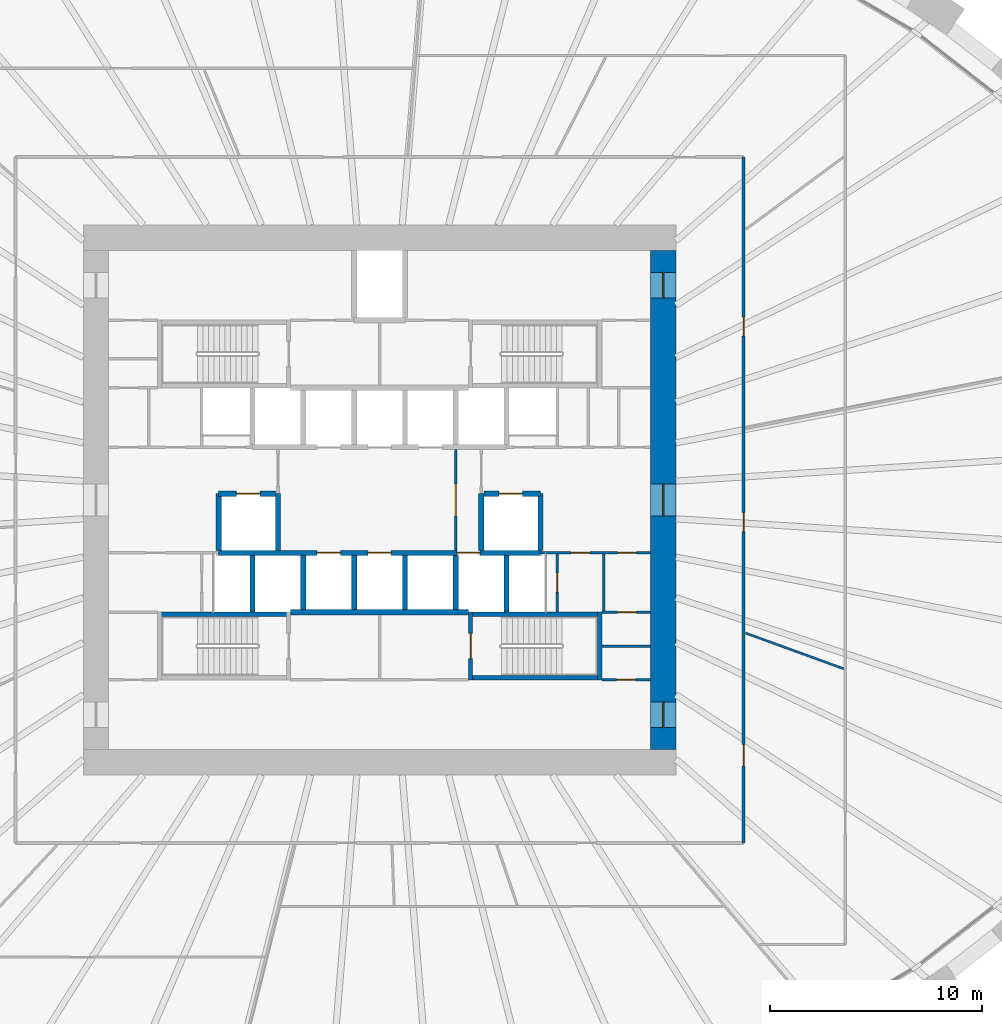
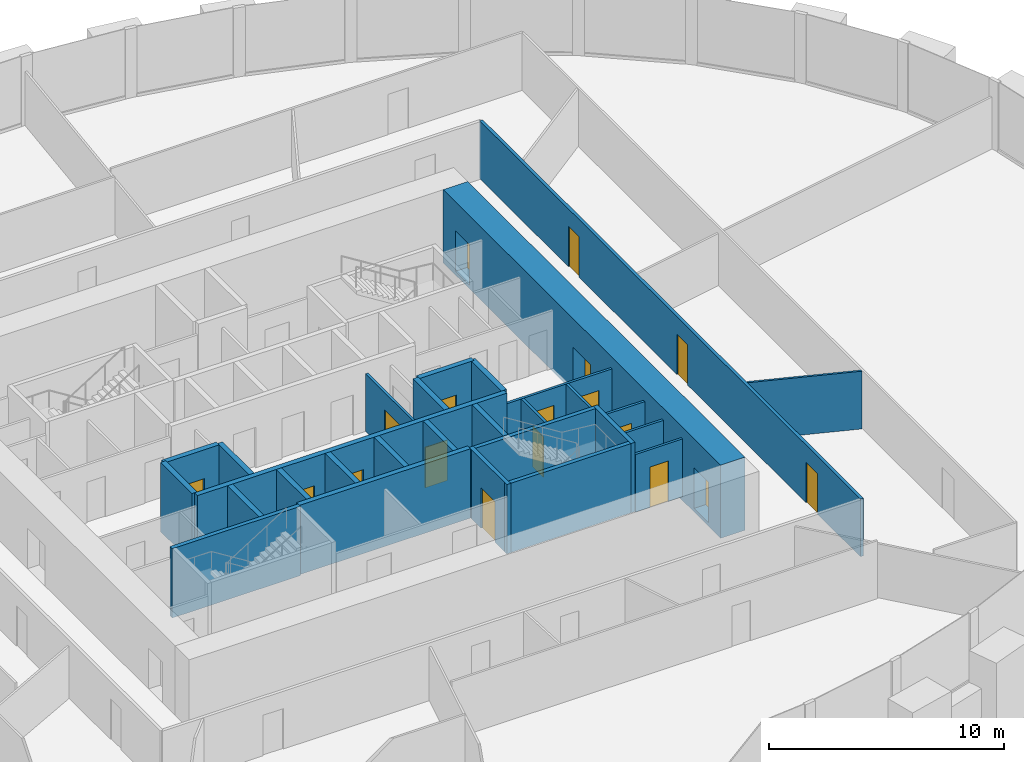
# One storey, part 7 of 10: 29 walls, 18 doors, 18 openings.
"""IFC4 building model written with IfcOpenShell, lengths in metres."""

import ifcopenshell
import ifcopenshell.guid

model = None  # the IFC model being written
_history = None  # IfcOwnerHistory: only IFC2X3 demands one
_inside = {}  # id of a spatial element -> (the spatial element, [elements in it])
_under = {}  # id of a project, library or spatial element -> (it, [spatial elements below it])
_declared = {}  # id of a project -> (the project, [libraries it declares])
_typed = {}  # id of a type object -> (the type object, [elements of that type])
_made_of = {}  # id of a material, layer set ... -> (it, [elements and type objects made of it])


def new_model(schema):
    """Start an empty IFC model of exactly this schema.

    Asked for "IFC4X3", IfcOpenShell would pick the latest addendum, in which some entities
    have other attributes; the version numbers below select the first issue.
    IFC2X3 requires an IfcOwnerHistory on every rooted entity: one is made here for all.
    """
    global model, _history
    if schema == "IFC4X3":
        model = ifcopenshell.file(schema_version=(4, 3, 0, 0))
    else:
        model = ifcopenshell.file(schema=schema)
    _inside.clear()
    _under.clear()
    _declared.clear()
    _typed.clear()
    _made_of.clear()
    _history = None
    if model.schema == "IFC2X3":
        org = make("IfcOrganization", Name="unknown")
        user = make(
            "IfcPersonAndOrganization",
            ThePerson=make("IfcPerson", FamilyName="unknown"),
            TheOrganization=org,
        )
        app = make(
            "IfcApplication",
            ApplicationDeveloper=org,
            Version="unknown",
            ApplicationFullName="unknown",
            ApplicationIdentifier="unknown",
        )
        _history = make(
            "IfcOwnerHistory",
            OwningUser=user,
            OwningApplication=app,
            ChangeAction="ADDED",
            CreationDate=0,
        )
    return model


def make(cls, **values):
    """One entity of the class cls with the attributes given. An attribute that is None is left unset."""
    return model.create_entity(
        cls, **{name: value for name, value in values.items() if value is not None}
    )


def rooted(cls, **values):
    """An entity with a GlobalId (a new one), such as an element, a storey or a relation."""
    return make(cls, GlobalId=ifcopenshell.guid.new(), OwnerHistory=_history, **values)


def si_unit(unit_type, name, prefix=None):
    """IfcSIUnit, for example si_unit("LENGTHUNIT", "METRE", prefix="MILLI")."""
    return make("IfcSIUnit", UnitType=unit_type, Prefix=prefix, Name=name)


def assignment(units):
    """IfcUnitAssignment: the units of a project."""
    return None if units is None else make("IfcUnitAssignment", Units=units)


def point(xyz):
    """IfcCartesianPoint."""
    return None if xyz is None else make("IfcCartesianPoint", Coordinates=xyz)


def direction(xyz):
    """IfcDirection."""
    return None if xyz is None else make("IfcDirection", DirectionRatios=xyz)


def frame(location, z_axis=None, x_axis=None):
    """IfcAxis2Placement3D, a coordinate frame: its origin and axes. An axis left out is left unset."""
    return make(
        "IfcAxis2Placement3D",
        Location=point(location),
        Axis=direction(z_axis),
        RefDirection=direction(x_axis),
    )


def frame_2d(location, x_axis=None):
    """IfcAxis2Placement2D, a coordinate frame in the plane: its origin and x axis."""
    return make(
        "IfcAxis2Placement2D", Location=point(location), RefDirection=direction(x_axis)
    )


def origin():
    """The frame at (0, 0, 0) with its axes left unset."""
    return frame((0.0, 0.0, 0.0))


def place(relative_to, where):
    """IfcLocalPlacement: puts the frame where relative to a parent placement (None: the world)."""
    return make(
        "IfcLocalPlacement", PlacementRelTo=relative_to, RelativePlacement=where
    )


def context(
    kind, dimensions, precision=None, world=None, true_north=None, identifier=None
):
    """IfcGeometricRepresentationContext, for example the 3D "Model" context."""
    return make(
        "IfcGeometricRepresentationContext",
        ContextIdentifier=identifier,
        ContextType=kind,
        CoordinateSpaceDimension=dimensions,
        Precision=precision,
        WorldCoordinateSystem=world,
        TrueNorth=true_north,
    )


def subcontext(parent, identifier, kind, view, scale=None):
    """IfcGeometricRepresentationSubContext, for example "Body" below "Model"."""
    return make(
        "IfcGeometricRepresentationSubContext",
        ContextIdentifier=identifier,
        ContextType=kind,
        ParentContext=parent,
        TargetScale=scale,
        TargetView=view,
    )


def project(units=None, contexts=None):
    """IfcProject with its units and contexts."""
    return rooted(
        "IfcProject",
        Name="project",
        RepresentationContexts=contexts,
        UnitsInContext=assignment(units),
    )


def spatial(cls, under=None, at=None, **own):
    """A site, building, storey or space (cls), placed at a placement, below another one or the project."""
    s = rooted(cls, ObjectPlacement=at, **own)
    if under is not None:
        _under.setdefault(under.id(), (under, []))[1].append(s)
    return s


def profile(cls, at=None, kind="AREA", **sizes):
    """A parametric profile (cls). Its sizes go by their IFC names, for example OverallWidth=200.0."""
    return make(cls, ProfileType=kind, Position=at, **sizes)


def rectangle(**sizes):
    """IfcRectangleProfileDef."""
    return profile("IfcRectangleProfileDef", **sizes)


def extrude(swept, where, along, depth):
    """IfcExtrudedAreaSolid: the profile swept, set in the frame where, extruded along a direction by depth."""
    return make(
        "IfcExtrudedAreaSolid",
        SweptArea=swept,
        Position=where,
        ExtrudedDirection=direction(along),
        Depth=depth,
    )


def shape(context_of_items, identifier, shape_type, items):
    """IfcShapeRepresentation: the items that make up one representation, for example the "Body"."""
    return make(
        "IfcShapeRepresentation",
        ContextOfItems=context_of_items,
        RepresentationIdentifier=identifier,
        RepresentationType=shape_type,
        Items=items,
    )


def source(mapping_origin, context_of_items, identifier, shape_type, items):
    """IfcRepresentationMap: a shape defined once, which mapped items show again and again."""
    return make(
        "IfcRepresentationMap",
        MappingOrigin=mapping_origin,
        MappedRepresentation=shape(context_of_items, identifier, shape_type, items),
    )


def transform(
    local_origin,
    x_axis=None,
    y_axis=None,
    z_axis=None,
    scale=None,
    scale2=None,
    scale3=None,
    uniform=True,
):
    """IfcCartesianTransformationOperator3D, or its non-uniform kind. x_axis, y_axis, z_axis: its Axis1, 2, 3."""
    if uniform:
        return make(
            "IfcCartesianTransformationOperator3D",
            Axis1=direction(x_axis),
            Axis2=direction(y_axis),
            LocalOrigin=point(local_origin),
            Scale=scale,
            Axis3=direction(z_axis),
        )
    return make(
        "IfcCartesianTransformationOperator3DnonUniform",
        Axis1=direction(x_axis),
        Axis2=direction(y_axis),
        LocalOrigin=point(local_origin),
        Scale=scale,
        Axis3=direction(z_axis),
        Scale2=scale2,
        Scale3=scale3,
    )


def mapped(mapping_source, mapping_target):
    """IfcMappedItem: shows the shape of a source again, moved by a transform."""
    return make(
        "IfcMappedItem", MappingSource=mapping_source, MappingTarget=mapping_target
    )


def material(Name=None, Category=None):
    """IfcMaterial."""
    return make("IfcMaterial", Name=Name, Category=Category)


def layer(
    of_material, thickness, ventilated=None, Name=None, Category=None, Priority=None
):
    """IfcMaterialLayer: one layer of a wall or slab, of a material (None: an air gap)."""
    return make(
        "IfcMaterialLayer",
        Material=of_material,
        LayerThickness=thickness,
        IsVentilated=ventilated,
        Name=Name,
        Category=Category,
        Priority=Priority,
    )


def layer_set(layers, Name=None):
    """IfcMaterialLayerSet."""
    return make("IfcMaterialLayerSet", MaterialLayers=layers, LayerSetName=Name)


def made_of(thing, what):
    """Note that an element or type object is made of a material, layer set ...; save() writes the relation."""
    if what is not None:
        _made_of.setdefault(what.id(), (what, []))[1].append(thing)
    return thing


def type_object(cls, material=None, **own):
    """A type object (cls), such as IfcWallType, which elements share."""
    return made_of(rooted(cls, **own), material)


def element(
    cls,
    number,
    at=None,
    inside=None,
    cuts=None,
    type_object=None,
    material=None,
    context=None,
    identifier="Body",
    shape_type=None,
    held_by="IfcProductDefinitionShape",
    body=None,
    shapes=None,
    **own,
):
    """One element of the class cls, such as IfcWall. Its Tag is "e" and its number.

    at: its placement. inside: the storey or other place that contains it. cuts: it is an
    opening in that element (IfcRelVoidsElement). A single representation is given by context,
    identifier, shape_type and body (its items); several are given by shapes. held_by: the class
    of the entity that holds the representations. save() writes the other relations.
    """
    e = rooted(cls, Tag="e%d" % number, ObjectPlacement=at, **own)
    if body is not None:
        shapes = [shape(context, identifier, shape_type, body)]
    if shapes is not None:
        e.Representation = make(held_by, Representations=shapes)
    if inside is not None:
        _inside.setdefault(inside.id(), (inside, []))[1].append(e)
    if cuts is not None:
        rooted(
            "IfcRelVoidsElement", RelatingBuildingElement=cuts, RelatedOpeningElement=e
        )
    if type_object is not None:
        _typed.setdefault(type_object.id(), (type_object, []))[1].append(e)
    return made_of(e, material)


def fill(opening, filler):
    """IfcRelFillsElement: the door or window that sits in an opening."""
    return rooted(
        "IfcRelFillsElement",
        RelatingOpeningElement=opening,
        RelatedBuildingElement=filler,
    )


def aggregate(whole, parts):
    """IfcRelAggregates: a whole, such as a stair, and the parts it consists of."""
    return rooted("IfcRelAggregates", RelatingObject=whole, RelatedObjects=parts)


def save(model, path):
    """Write the relations noted so far, then the file.

    IfcRelAggregates (storeys below a building ...), IfcRelContainedInSpatialStructure (elements
    in a storey), IfcRelDefinesByType, IfcRelAssociatesMaterial and IfcRelDeclares: one each for
    every whole, place, type object, material and project.
    """
    for whole, parts in _under.values():
        aggregate(whole, parts)
    for where, things in _inside.values():
        rooted(
            "IfcRelContainedInSpatialStructure",
            RelatedElements=things,
            RelatingStructure=where,
        )
    for kind, things in _typed.values():
        rooted("IfcRelDefinesByType", RelatedObjects=things, RelatingType=kind)
    for what, things in _made_of.values():
        rooted("IfcRelAssociatesMaterial", RelatedObjects=things, RelatingMaterial=what)
    for by, libraries in _declared.values():
        rooted("IfcRelDeclares", RelatingContext=by, RelatedDefinitions=libraries)
    model.write(path)


model = new_model("IFC4")

# Units and contexts
model_context = context("Model", 3, precision=1e-05, world=origin(), true_north=direction((0.0, 1.0)))
body_context = subcontext(model_context, "Body", "Model", "MODEL_VIEW")
ifc_project = project(units=[si_unit("LENGTHUNIT", "METRE"), si_unit("AREAUNIT", "SQUARE_METRE"), si_unit("VOLUMEUNIT", "CUBIC_METRE"), si_unit("PLANEANGLEUNIT", "RADIAN"), si_unit("MASSUNIT", "GRAM", prefix="KILO")], contexts=[model_context])

# Site, building, storey
site_placement = place(None, origin())
site = spatial("IfcSite", under=ifc_project, at=site_placement, CompositionType="ELEMENT")
building_placement = place(site_placement, origin())
building = spatial("IfcBuilding", under=site, at=building_placement, Name="Embergate Tower", CompositionType="ELEMENT")
storey_placement = place(building_placement, frame((0.0, 0.0, 121.10009765625)))
storey = spatial("IfcBuildingStorey", under=building, at=storey_placement, Name="L26", CompositionType="ELEMENT", Elevation=121.10009765625)

# Wall, openings, doors
ifc_material_1 = material(Name="Concrete C80", Category="concrete")
ifc_layer_1 = layer(ifc_material_1, 1.199951171875)
ifc_layer_set_1 = layer_set([ifc_layer_1], Name="Concrete C80")
wall_type_1 = type_object("IfcWallType", Name="Core outer wall C80 1200", PredefinedType="SHEAR", material=ifc_layer_set_1)
shared_shape_1 = source(origin(), body_context, "Body", "SweptSolid", [
    extrude(rectangle(XDim=23.60009765625, YDim=1.199951171875, at=frame_2d((11.800048828125, 0.0))), origin(), (0.0, 0.0, 1.0), 3.800048828125),
])
wall_1_placement = place(storey_placement, frame((13.39990234375, -11.800048828125, -0.2001953125), z_axis=(0.0, 0.0, 1.0), x_axis=(0.0, 1.0, 0.0)))
wall_1 = element("IfcWall", 1, at=wall_1_placement, inside=storey, type_object=wall_type_1, Name="CW-L26-E", PredefinedType="SHEAR", context=body_context, shape_type="MappedRepresentation", body=[
    mapped(shared_shape_1, transform((0.0, 0.0, 0.0))),
])
shared_shape_2 = source(origin(), body_context, "Body", "SweptSolid", [
    extrude(rectangle(XDim=1.199951171875, YDim=2.10009765625, at=frame_2d((0.60009765625, 1.050048828125))), frame((0.0, 0.60986328125, 0.0), z_axis=(0.0, -1.0, 0.0), x_axis=(1.0, 0.0, 0.0)), (0.0, 0.0, 1.0), 1.219970703125),
])
opening_1_placement = place(wall_1_placement, frame((21.35009765625, 0.0, 0.199951171875)))
opening_1 = element("IfcOpeningElement", 2, at=opening_1_placement, cuts=wall_1, Name="Opening IF-1", PredefinedType="OPENING", context=body_context, shape_type="MappedRepresentation", body=[
    mapped(shared_shape_2, transform((0.0, 0.0, 0.0))),
])
opening_2_placement = place(wall_1_placement, frame((1.050048828125, 0.0, 0.199951171875)))
opening_2 = element("IfcOpeningElement", 3, at=opening_2_placement, cuts=wall_1, Name="Opening IF-1", PredefinedType="OPENING", context=body_context, shape_type="MappedRepresentation", body=[
    mapped(shared_shape_2, transform((0.0, 0.0, 0.0))),
])
shared_shape_3 = source(origin(), body_context, "Body", "SweptSolid", [
    extrude(rectangle(XDim=1.5, YDim=2.10009765625, at=frame_2d((0.75, 1.050048828125))), frame((0.0, 0.60986328125, 0.0), z_axis=(0.0, -1.0, 0.0), x_axis=(1.0, 0.0, 0.0)), (0.0, 0.0, 1.0), 1.219970703125),
])
opening_3_placement = place(wall_1_placement, frame((11.050048828125, 0.0, 0.199951171875)))
opening_3 = element("IfcOpeningElement", 4, at=opening_3_placement, cuts=wall_1, Name="Opening IF-3", PredefinedType="OPENING", context=body_context, shape_type="MappedRepresentation", body=[
    mapped(shared_shape_3, transform((0.0, 0.0, 0.0))),
])
ifc_material_2 = material(Name="Escape fire door 1200")
door_type_1 = type_object("IfcDoorType", Name="Escape fire door 1200", OperationType="SINGLE_SWING_LEFT", PredefinedType="DOOR", material=ifc_material_2)
shared_shape_4 = source(origin(), body_context, "Body", "SweptSolid", [
    extrude(rectangle(XDim=1.199951171875, YDim=2.10009765625, at=frame_2d((0.60009765625, 1.050048828125))), frame((0.0, 0.02490234375, 0.0), z_axis=(0.0, -1.0, 0.0), x_axis=(1.0, 0.0, 0.0)), (0.0, 0.0, 1.0), 0.050048828125),
])
door_1_placement = place(opening_1_placement, origin())
door_1 = element("IfcDoor", 5, at=door_1_placement, inside=storey, type_object=door_type_1, Name="IF-1 door", OperationType="SINGLE_SWING_LEFT", OverallHeight=2.10009765625, OverallWidth=1.199951171875, PredefinedType="DOOR", context=body_context, shape_type="MappedRepresentation", body=[
    mapped(shared_shape_4, transform((0.0, 0.0, 0.0))),
])
fill(opening_1, door_1)
door_2_placement = place(opening_2_placement, origin())
door_2 = element("IfcDoor", 6, at=door_2_placement, inside=storey, type_object=door_type_1, Name="IF-1 door", OperationType="SINGLE_SWING_LEFT", OverallHeight=2.10009765625, OverallWidth=1.199951171875, PredefinedType="DOOR", context=body_context, shape_type="MappedRepresentation", body=[
    mapped(shared_shape_4, transform((0.0, 0.0, 0.0))),
])
fill(opening_2, door_2)
ifc_material_3 = material(Name="Lobby fire door pair 1500")
door_type_2 = type_object("IfcDoorType", Name="Lobby fire door pair 1500", OperationType="DOUBLE_DOOR_SINGLE_SWING", PredefinedType="DOOR", material=ifc_material_3)
shared_shape_5 = source(origin(), body_context, "Body", "SweptSolid", [
    extrude(rectangle(XDim=1.5, YDim=2.10009765625, at=frame_2d((0.75, 1.050048828125))), frame((0.0, 0.02490234375, 0.0), z_axis=(0.0, -1.0, 0.0), x_axis=(1.0, 0.0, 0.0)), (0.0, 0.0, 1.0), 0.050048828125),
])
door_3_placement = place(opening_3_placement, origin())
door_3 = element("IfcDoor", 7, at=door_3_placement, inside=storey, type_object=door_type_2, Name="IF-3 door", OperationType="DOUBLE_DOOR_SINGLE_SWING", OverallHeight=2.10009765625, OverallWidth=1.5, PredefinedType="DOOR", context=body_context, shape_type="MappedRepresentation", body=[
    mapped(shared_shape_5, transform((0.0, 0.0, 0.0))),
])
fill(opening_3, door_3)

# Wall, opening, door
ifc_material_4 = material(Name="Core partition blockwork 120")
ifc_layer_2 = layer(ifc_material_4, 0.1201171875)
ifc_layer_set_2 = layer_set([ifc_layer_2], Name="Core partition blockwork 120")
wall_type_2 = type_object("IfcWallType", Name="Core partition blockwork 120", PredefinedType="PARTITIONING", material=ifc_layer_set_2)
shared_shape_6 = source(origin(), body_context, "Body", "SweptSolid", [
    extrude(rectangle(XDim=2.739990234375, YDim=0.1201171875, at=frame_2d((1.3701171875, 0.0))), origin(), (0.0, 0.0, 1.0), 3.0),
])
wall_2_placement = place(storey_placement, frame((8.39990234375, -5.300048828125, 0.0), z_axis=(0.0, 0.0, 1.0), x_axis=(0.0, 1.0, 0.0)))
wall_2 = element("IfcWall", 8, at=wall_2_placement, inside=storey, type_object=wall_type_2, Name="IP-3 wall", PredefinedType="PARTITIONING", context=body_context, shape_type="MappedRepresentation", body=[
    mapped(shared_shape_6, transform((0.0, 0.0, 0.0))),
])
shared_shape_7 = source(origin(), body_context, "Body", "SweptSolid", [
    extrude(rectangle(XDim=0.89990234375, YDim=2.10009765625, at=frame_2d((0.449951171875, 1.050048828125))), frame((0.0, 0.070068359375, 0.0), z_axis=(0.0, -1.0, 0.0), x_axis=(1.0, 0.0, 0.0)), (0.0, 0.0, 1.0), 0.14013671875),
])
opening_4_placement = place(wall_2_placement, frame((0.949951171875, 0.0, 0.0)))
opening_4 = element("IfcOpeningElement", 9, at=opening_4_placement, cuts=wall_2, Name="Opening ID-1", PredefinedType="OPENING", context=body_context, shape_type="MappedRepresentation", body=[
    mapped(shared_shape_7, transform((0.0, 0.0, 0.0))),
])
ifc_material_5 = material(Name="Interior door 900")
door_type_3 = type_object("IfcDoorType", Name="Interior door 900", OperationType="SINGLE_SWING_LEFT", PredefinedType="DOOR", material=ifc_material_5)
shared_shape_8 = source(origin(), body_context, "Body", "SweptSolid", [
    extrude(rectangle(XDim=0.89990234375, YDim=2.10009765625, at=frame_2d((0.449951171875, 1.050048828125))), frame((0.0, 0.02490234375, 0.0), z_axis=(0.0, -1.0, 0.0), x_axis=(1.0, 0.0, 0.0)), (0.0, 0.0, 1.0), 0.050048828125),
])
door_4_placement = place(opening_4_placement, origin())
door_4 = element("IfcDoor", 10, at=door_4_placement, inside=storey, type_object=door_type_3, Name="ID-1 door", OperationType="SINGLE_SWING_RIGHT", OverallHeight=2.10009765625, OverallWidth=0.89990234375, PredefinedType="DOOR", context=body_context, shape_type="MappedRepresentation", body=[
    mapped(shared_shape_8, transform((0.0, 0.0, 0.0))),
])
fill(opening_4, door_4)

# Wall, openings, doors
shared_shape_9 = source(origin(), body_context, "Body", "SweptSolid", [
    extrude(rectangle(XDim=5.199951171875, YDim=0.1201171875, at=frame_2d((2.60009765625, 0.0))), origin(), (0.0, 0.0, 1.0), 3.0),
])
wall_3_placement = place(storey_placement, frame((12.800048828125, -2.5, 0.0), z_axis=(0.0, 0.0, 1.0), x_axis=(-1.0, 0.0, 0.0)))
wall_3 = element("IfcWall", 11, at=wall_3_placement, inside=storey, type_object=wall_type_2, Name="IP-3 wall", PredefinedType="PARTITIONING", context=body_context, shape_type="MappedRepresentation", body=[
    mapped(shared_shape_9, transform((0.0, 0.0, 0.0))),
])
opening_5_placement = place(wall_3_placement, frame((2.85009765625, 0.0, 0.0)))
opening_5 = element("IfcOpeningElement", 12, at=opening_5_placement, cuts=wall_3, Name="Opening ID-1", PredefinedType="OPENING", context=body_context, shape_type="MappedRepresentation", body=[
    mapped(shared_shape_7, transform((0.0, 0.0, 0.0))),
])
opening_6_placement = place(wall_3_placement, frame((0.64990234375, 0.0, 0.0)))
opening_6 = element("IfcOpeningElement", 13, at=opening_6_placement, cuts=wall_3, Name="Opening ID-1", PredefinedType="OPENING", context=body_context, shape_type="MappedRepresentation", body=[
    mapped(shared_shape_7, transform((0.0, 0.0, 0.0))),
])
door_5_placement = place(opening_5_placement, origin())
door_5 = element("IfcDoor", 14, at=door_5_placement, inside=storey, type_object=door_type_3, Name="ID-1 door", OperationType="SINGLE_SWING_LEFT", OverallHeight=2.10009765625, OverallWidth=0.89990234375, PredefinedType="DOOR", context=body_context, shape_type="MappedRepresentation", body=[
    mapped(shared_shape_8, transform((0.0, 0.0, 0.0))),
])
fill(opening_5, door_5)
door_6_placement = place(opening_6_placement, origin())
door_6 = element("IfcDoor", 15, at=door_6_placement, inside=storey, type_object=door_type_3, Name="ID-1 door", OperationType="SINGLE_SWING_RIGHT", OverallHeight=2.10009765625, OverallWidth=0.89990234375, PredefinedType="DOOR", context=body_context, shape_type="MappedRepresentation", body=[
    mapped(shared_shape_8, transform((0.0, 0.0, 0.0))),
])
fill(opening_6, door_6)

# Wall, opening, door
shared_shape_10 = source(origin(), body_context, "Body", "SweptSolid", [
    extrude(rectangle(XDim=4.75, YDim=0.1201171875, at=frame_2d((2.375, 0.0))), origin(), (0.0, 0.0, 1.0), 3.0),
])
wall_4_placement = place(storey_placement, frame((3.60009765625, -2.375, 0.0), z_axis=(0.0, 0.0, 1.0), x_axis=(0.0, 1.0, 0.0)))
wall_4 = element("IfcWall", 16, at=wall_4_placement, inside=storey, type_object=wall_type_2, Name="IP-3 wall", PredefinedType="PARTITIONING", context=body_context, shape_type="MappedRepresentation", body=[
    mapped(shared_shape_10, transform((0.0, 0.0, 0.0))),
])
shared_shape_11 = source(origin(), body_context, "Body", "SweptSolid", [
    extrude(rectangle(XDim=1.5, YDim=2.10009765625, at=frame_2d((0.75, 1.050048828125))), frame((0.0, 0.070068359375, 0.0), z_axis=(0.0, -1.0, 0.0), x_axis=(1.0, 0.0, 0.0)), (0.0, 0.0, 1.0), 0.14013671875),
])
opening_7_placement = place(wall_4_placement, frame((1.625, 0.0, 0.0)))
opening_7 = element("IfcOpeningElement", 17, at=opening_7_placement, cuts=wall_4, Name="Opening IF-3", PredefinedType="OPENING", context=body_context, shape_type="MappedRepresentation", body=[
    mapped(shared_shape_11, transform((0.0, 0.0, 0.0))),
])
door_7_placement = place(opening_7_placement, origin())
door_7 = element("IfcDoor", 18, at=door_7_placement, inside=storey, type_object=door_type_2, Name="IF-3 door", OperationType="DOUBLE_DOOR_SINGLE_SWING", OverallHeight=2.10009765625, OverallWidth=1.5, PredefinedType="DOOR", context=body_context, shape_type="MappedRepresentation", body=[
    mapped(shared_shape_5, transform((0.0, 0.0, 0.0))),
])
fill(opening_7, door_7)

shared_shape_12 = source(origin(), body_context, "Body", "SweptSolid", [
    extrude(rectangle(XDim=2.300048828125, YDim=0.1201171875, at=frame_2d((1.14990234375, 0.0))), origin(), (0.0, 0.0, 1.0), 3.0),
])
wall_5_placement = place(storey_placement, frame((12.800048828125, -8.5, 0.0), z_axis=(0.0, 0.0, 1.0), x_axis=(-1.0, 0.0, 0.0)))
wall_5 = element("IfcWall", 19, at=wall_5_placement, inside=storey, type_object=wall_type_2, Name="IP-3 wall", PredefinedType="PARTITIONING", context=body_context, shape_type="MappedRepresentation", body=[
    mapped(shared_shape_12, transform((0.0, 0.0, 0.0))),
])
opening_8_placement = place(wall_5_placement, frame((0.699951171875, 0.0, 0.0)))
opening_8 = element("IfcOpeningElement", 20, at=opening_8_placement, cuts=wall_5, Name="Opening ID-1", PredefinedType="OPENING", context=body_context, shape_type="MappedRepresentation", body=[
    mapped(shared_shape_7, transform((0.0, 0.0, 0.0))),
])
door_8_placement = place(opening_8_placement, origin())
door_8 = element("IfcDoor", 21, at=door_8_placement, inside=storey, type_object=door_type_3, Name="ID-1 door", OperationType="SINGLE_SWING_LEFT", OverallHeight=2.10009765625, OverallWidth=0.89990234375, PredefinedType="DOOR", context=body_context, shape_type="MappedRepresentation", body=[
    mapped(shared_shape_8, transform((0.0, 0.0, 0.0))),
])
fill(opening_8, door_8)

wall_6_placement = place(storey_placement, frame((10.5, -5.300048828125, 0.0), z_axis=(0.0, 0.0, 1.0), x_axis=(1.0, 0.0, 0.0)))
wall_6 = element("IfcWall", 22, at=wall_6_placement, inside=storey, type_object=wall_type_2, Name="IP-3 wall", PredefinedType="PARTITIONING", context=body_context, shape_type="MappedRepresentation", body=[
    mapped(shared_shape_12, transform((0.0, 0.0, 0.0))),
])
opening_9_placement = place(wall_6_placement, frame((0.75, 0.0, 0.0)))
opening_9 = element("IfcOpeningElement", 23, at=opening_9_placement, cuts=wall_6, Name="Opening ID-1", PredefinedType="OPENING", context=body_context, shape_type="MappedRepresentation", body=[
    mapped(shared_shape_7, transform((0.0, 0.0, 0.0))),
])
door_9_placement = place(opening_9_placement, origin())
door_9 = element("IfcDoor", 24, at=door_9_placement, inside=storey, type_object=door_type_3, Name="ID-1 door", OperationType="SINGLE_SWING_RIGHT", OverallHeight=2.10009765625, OverallWidth=0.89990234375, PredefinedType="DOOR", context=body_context, shape_type="MappedRepresentation", body=[
    mapped(shared_shape_8, transform((0.0, 0.0, 0.0))),
])
fill(opening_9, door_9)

# Walls
wall_7_placement = place(storey_placement, frame((12.800048828125, -6.89990234375, 0.0), z_axis=(0.0, 0.0, 1.0), x_axis=(-1.0, 0.0, 0.0)))
element("IfcWall", 25, at=wall_7_placement, inside=storey, type_object=wall_type_2, Name="IP-3 wall", PredefinedType="PARTITIONING", context=body_context, shape_type="MappedRepresentation", body=[
    mapped(shared_shape_12, transform((0.0, 0.0, 0.0))),
])
shared_shape_13 = source(origin(), body_context, "Body", "SweptSolid", [
    extrude(rectangle(XDim=2.679931640625, YDim=0.1201171875, at=frame_2d((1.33984375, 0.0))), origin(), (0.0, 0.0, 1.0), 3.0),
])
wall_8_placement = place(storey_placement, frame((10.60009765625, -5.239990234375, 0.0), z_axis=(0.0, 0.0, 1.0), x_axis=(0.0, 1.0, 0.0)))
element("IfcWall", 26, at=wall_8_placement, inside=storey, type_object=wall_type_2, Name="IP-3 wall", PredefinedType="PARTITIONING", context=body_context, shape_type="MappedRepresentation", body=[
    mapped(shared_shape_13, transform((0.0, 0.0, 0.0))),
])
ifc_material_6 = material(Name="Concrete C50", Category="concrete")
ifc_layer_3 = layer(ifc_material_6, 0.25)
ifc_layer_set_3 = layer_set([ifc_layer_3], Name="Concrete C50")
wall_type_3 = type_object("IfcWallType", Name="Hoistway wall reinforced concrete 250", PredefinedType="SHEAR", material=ifc_layer_set_3)
shared_shape_14 = source(origin(), body_context, "Body", "SweptSolid", [
    extrude(rectangle(XDim=2.675048828125, YDim=0.25, at=frame_2d((1.33740234375, 0.0))), origin(), (0.0, 0.0, 1.0), 3.599853515625),
])
for number, where, z_axis, x_axis, name in (
    (27, (-6.0, -5.300048828125, 0.0), (0.0, 0.0, 1.0), (0.0, 1.0, 0.0), "HW-1 wall"),
    (28, (6.0, -5.300048828125, 0.0), (0.0, 0.0, 1.0), (0.0, 1.0, 0.0), "HW-1 wall"),
    (29, (-4.800048828125, 0.300048828125, 0.0), (0.0, 0.0, 1.0), (0.0, -1.0, 0.0), "HW-1 wall"),
    (30, (4.800048828125, -2.375, 0.0), (0.0, 0.0, 1.0), (0.0, 1.0, 0.0), "HW-1 wall"),
):
    element("IfcWall", number, at=place(storey_placement, frame(where, z_axis=z_axis, x_axis=x_axis)), inside=storey, type_object=wall_type_3, Name=name, PredefinedType="SHEAR", context=body_context, shape_type="MappedRepresentation", body=[
        mapped(shared_shape_14, transform((0.0, 0.0, 0.0))),
    ])

# Wall, opening, door
wall_9_placement = place(storey_placement, frame((-4.925048828125, 0.300048828125, 0.0), z_axis=(0.0, 0.0, 1.0), x_axis=(-1.0, 0.0, 0.0)))
wall_9 = element("IfcWall", 31, at=wall_9_placement, inside=storey, type_object=wall_type_3, Name="HW-1 wall", PredefinedType="SHEAR", context=body_context, shape_type="MappedRepresentation", body=[
    mapped(shared_shape_14, transform((0.0, 0.0, 0.0))),
])
shared_shape_15 = source(origin(), body_context, "Body", "SweptSolid", [
    extrude(rectangle(XDim=1.10009765625, YDim=2.10009765625, at=frame_2d((0.550048828125, 1.050048828125))), frame((0.0, 0.135009765625, 0.0), z_axis=(0.0, -1.0, 0.0), x_axis=(1.0, 0.0, 0.0)), (0.0, 0.0, 1.0), 0.27001953125),
])
opening_10_placement = place(wall_9_placement, frame((0.72509765625, 0.0, 0.0)))
opening_10 = element("IfcOpeningElement", 32, at=opening_10_placement, cuts=wall_9, Name="Opening LD", PredefinedType="OPENING", context=body_context, shape_type="MappedRepresentation", body=[
    mapped(shared_shape_15, transform((0.0, 0.0, 0.0))),
])
ifc_material_7 = material(Name="Landing door sliding 1100")
door_type_4 = type_object("IfcDoorType", Name="Landing door sliding 1100", OperationType="SLIDING_TO_LEFT", PredefinedType="DOOR", material=ifc_material_7)
shared_shape_16 = source(origin(), body_context, "Body", "SweptSolid", [
    extrude(rectangle(XDim=1.10009765625, YDim=2.10009765625, at=frame_2d((0.550048828125, 1.050048828125))), frame((0.0, 0.02490234375, 0.0), z_axis=(0.0, -1.0, 0.0), x_axis=(1.0, 0.0, 0.0)), (0.0, 0.0, 1.0), 0.050048828125),
])
door_10_placement = place(opening_10_placement, origin())
door_10 = element("IfcDoor", 33, at=door_10_placement, inside=storey, type_object=door_type_4, Name="LD door", OperationType="SLIDING_TO_RIGHT", OverallHeight=2.10009765625, OverallWidth=1.10009765625, PredefinedType="DOOR", context=body_context, shape_type="MappedRepresentation", body=[
    mapped(shared_shape_16, transform((0.0, 0.0, 0.0))),
])
fill(opening_10, door_10)

# Wall
wall_10_placement = place(storey_placement, frame((-7.60009765625, 0.300048828125, 0.0), z_axis=(0.0, 0.0, 1.0), x_axis=(0.0, -1.0, 0.0)))
element("IfcWall", 34, at=wall_10_placement, inside=storey, type_object=wall_type_3, Name="HW-1 wall", PredefinedType="SHEAR", context=body_context, shape_type="MappedRepresentation", body=[
    mapped(shared_shape_14, transform((0.0, 0.0, 0.0))),
])

# Wall, opening, door
wall_11_placement = place(storey_placement, frame((7.60009765625, 0.300048828125, 0.0), z_axis=(0.0, 0.0, 1.0), x_axis=(-1.0, 0.0, 0.0)))
wall_11 = element("IfcWall", 35, at=wall_11_placement, inside=storey, type_object=wall_type_3, Name="HW-1 wall", PredefinedType="SHEAR", context=body_context, shape_type="MappedRepresentation", body=[
    mapped(shared_shape_14, transform((0.0, 0.0, 0.0))),
])
opening_11_placement = place(wall_11_placement, frame((0.85009765625, 0.0, 0.0)))
opening_11 = element("IfcOpeningElement", 36, at=opening_11_placement, cuts=wall_11, Name="Opening LD", PredefinedType="OPENING", context=body_context, shape_type="MappedRepresentation", body=[
    mapped(shared_shape_15, transform((0.0, 0.0, 0.0))),
])
door_11_placement = place(opening_11_placement, origin())
door_11 = element("IfcDoor", 37, at=door_11_placement, inside=storey, type_object=door_type_4, Name="LD door", OperationType="SLIDING_TO_RIGHT", OverallHeight=2.10009765625, OverallWidth=1.10009765625, PredefinedType="DOOR", context=body_context, shape_type="MappedRepresentation", body=[
    mapped(shared_shape_16, transform((0.0, 0.0, 0.0))),
])
fill(opening_11, door_11)

# Walls
wall_12_placement = place(storey_placement, frame((7.60009765625, -2.375, 0.0), z_axis=(0.0, 0.0, 1.0), x_axis=(0.0, 1.0, 0.0)))
element("IfcWall", 38, at=wall_12_placement, inside=storey, type_object=wall_type_3, Name="HW-1 wall", PredefinedType="SHEAR", context=body_context, shape_type="MappedRepresentation", body=[
    mapped(shared_shape_14, transform((0.0, 0.0, 0.0))),
])
ifc_layer_4 = layer(ifc_material_6, 0.199951171875)
ifc_layer_set_4 = layer_set([ifc_layer_4], Name="Concrete C50")
wall_type_4 = type_object("IfcWallType", Name="Stair enclosure wall reinforced concrete 250", PredefinedType="SHEAR", material=ifc_layer_set_4)
shared_shape_17 = source(origin(), body_context, "Body", "SweptSolid", [
    extrude(rectangle(XDim=6.300048828125, YDim=0.199951171875, at=frame_2d((3.14990234375, 0.0))), origin(), (0.0, 0.0, 1.0), 3.599853515625),
])
for number, where, z_axis, x_axis, name in (
    (39, (-10.5, -5.39990234375, 0.0), (0.0, 0.0, 1.0), (1.0, 0.0, 0.0), "SE-1 wall"),
    (40, (4.199951171875, -5.39990234375, 0.0), (0.0, 0.0, 1.0), (1.0, 0.0, 0.0), "SE-1 wall"),
    (41, (4.199951171875, -8.39990234375, 0.0), (0.0, 0.0, 1.0), (1.0, 0.0, 0.0), "SE-1 wall"),
):
    element("IfcWall", number, at=place(storey_placement, frame(where, z_axis=z_axis, x_axis=x_axis)), inside=storey, type_object=wall_type_4, Name=name, PredefinedType="SHEAR", context=body_context, shape_type="MappedRepresentation", body=[
        mapped(shared_shape_17, transform((0.0, 0.0, 0.0))),
    ])
shared_shape_18 = source(origin(), body_context, "Body", "SweptSolid", [
    extrude(rectangle(XDim=2.550048828125, YDim=0.25, at=frame_2d((1.27490234375, 0.0))), origin(), (0.0, 0.0, 1.0), 3.599853515625),
])
for number, where, z_axis, x_axis, name in (
    (42, (-3.60009765625, -5.175048828125, 0.0), (0.0, 0.0, 1.0), (0.0, 1.0, 0.0), "HW-1 wall"),
    (43, (-1.199951171875, -5.175048828125, 0.0), (0.0, 0.0, 1.0), (0.0, 1.0, 0.0), "HW-1 wall"),
    (44, (1.199951171875, -5.175048828125, 0.0), (0.0, 0.0, 1.0), (0.0, 1.0, 0.0), "HW-1 wall"),
    (45, (3.60009765625, -5.175048828125, 0.0), (0.0, 0.0, 1.0), (0.0, 1.0, 0.0), "HW-1 wall"),
):
    element("IfcWall", number, at=place(storey_placement, frame(where, z_axis=z_axis, x_axis=x_axis)), inside=storey, type_object=wall_type_3, Name=name, PredefinedType="SHEAR", context=body_context, shape_type="MappedRepresentation", body=[
        mapped(shared_shape_18, transform((0.0, 0.0, 0.0))),
    ])
shared_shape_19 = source(origin(), body_context, "Body", "SweptSolid", [
    extrude(rectangle(XDim=8.39990234375, YDim=0.25, at=frame_2d((4.199951171875, 0.0))), origin(), (0.0, 0.0, 1.0), 3.599853515625),
])
wall_13_placement = place(storey_placement, frame((-4.199951171875, -5.300048828125, 0.0), z_axis=(0.0, 0.0, 1.0), x_axis=(1.0, 0.0, 0.0)))
element("IfcWall", 46, at=wall_13_placement, inside=storey, type_object=wall_type_3, Name="HW-1 wall", PredefinedType="SHEAR", context=body_context, shape_type="MappedRepresentation", body=[
    mapped(shared_shape_19, transform((0.0, 0.0, 0.0))),
])

# Wall, openings, doors
shared_shape_20 = source(origin(), body_context, "Body", "SweptSolid", [
    extrude(rectangle(XDim=15.2001953125, YDim=0.25, at=frame_2d((7.60009765625, 0.0))), origin(), (0.0, 0.0, 1.0), 3.599853515625),
])
wall_14_placement = place(storey_placement, frame((7.60009765625, -2.5, 0.0), z_axis=(0.0, 0.0, 1.0), x_axis=(-1.0, 0.0, 0.0)))
wall_14 = element("IfcWall", 47, at=wall_14_placement, inside=storey, type_object=wall_type_3, Name="HW-1 wall", PredefinedType="SHEAR", context=body_context, shape_type="MappedRepresentation", body=[
    mapped(shared_shape_20, transform((0.0, 0.0, 0.0))),
])
opening_12_placement = place(wall_14_placement, frame((9.449951171875, 0.0, 0.0)))
opening_12 = element("IfcOpeningElement", 48, at=opening_12_placement, cuts=wall_14, Name="Opening LD", PredefinedType="OPENING", context=body_context, shape_type="MappedRepresentation", body=[
    mapped(shared_shape_15, transform((0.0, 0.0, 0.0))),
])
opening_13_placement = place(wall_14_placement, frame((7.050048828125, 0.0, 0.0)))
opening_13 = element("IfcOpeningElement", 49, at=opening_13_placement, cuts=wall_14, Name="Opening LD", PredefinedType="OPENING", context=body_context, shape_type="MappedRepresentation", body=[
    mapped(shared_shape_15, transform((0.0, 0.0, 0.0))),
])
opening_14_placement = place(wall_14_placement, frame((2.85009765625, 0.0, 0.0)))
opening_14 = element("IfcOpeningElement", 50, at=opening_14_placement, cuts=wall_14, Name="Opening LD", PredefinedType="OPENING", context=body_context, shape_type="MappedRepresentation", body=[
    mapped(shared_shape_15, transform((0.0, 0.0, 0.0))),
])
door_12_placement = place(opening_12_placement, origin())
door_12 = element("IfcDoor", 51, at=door_12_placement, inside=storey, type_object=door_type_4, Name="LD door", OperationType="SLIDING_TO_RIGHT", OverallHeight=2.10009765625, OverallWidth=1.10009765625, PredefinedType="DOOR", context=body_context, shape_type="MappedRepresentation", body=[
    mapped(shared_shape_16, transform((0.0, 0.0, 0.0))),
])
fill(opening_12, door_12)
door_13_placement = place(opening_13_placement, origin())
door_13 = element("IfcDoor", 52, at=door_13_placement, inside=storey, type_object=door_type_4, Name="LD door", OperationType="SLIDING_TO_LEFT", OverallHeight=2.10009765625, OverallWidth=1.10009765625, PredefinedType="DOOR", context=body_context, shape_type="MappedRepresentation", body=[
    mapped(shared_shape_16, transform((0.0, 0.0, 0.0))),
])
fill(opening_13, door_13)
door_14_placement = place(opening_14_placement, origin())
door_14 = element("IfcDoor", 53, at=door_14_placement, inside=storey, type_object=door_type_4, Name="LD door", OperationType="SLIDING_TO_LEFT", OverallHeight=2.10009765625, OverallWidth=1.10009765625, PredefinedType="DOOR", context=body_context, shape_type="MappedRepresentation", body=[
    mapped(shared_shape_16, transform((0.0, 0.0, 0.0))),
])
fill(opening_14, door_14)

# Wall, opening, door
shared_shape_21 = source(origin(), body_context, "Body", "SweptSolid", [
    extrude(rectangle(XDim=3.199951171875, YDim=0.199951171875, at=frame_2d((1.60009765625, 0.0))), origin(), (0.0, 0.0, 1.0), 3.599853515625),
])
wall_15_placement = place(storey_placement, frame((4.300048828125, -5.300048828125, 0.0), z_axis=(0.0, 0.0, 1.0), x_axis=(0.0, -1.0, 0.0)))
wall_15 = element("IfcWall", 54, at=wall_15_placement, inside=storey, type_object=wall_type_4, Name="SE-1 wall", PredefinedType="SHEAR", context=body_context, shape_type="MappedRepresentation", body=[
    mapped(shared_shape_21, transform((0.0, 0.0, 0.0))),
])
shared_shape_22 = source(origin(), body_context, "Body", "SweptSolid", [
    extrude(rectangle(XDim=1.199951171875, YDim=2.10009765625, at=frame_2d((0.60009765625, 1.050048828125))), frame((0.0, 0.10986328125, 0.0), z_axis=(0.0, -1.0, 0.0), x_axis=(1.0, 0.0, 0.0)), (0.0, 0.0, 1.0), 0.219970703125),
])
opening_15_placement = place(wall_15_placement, frame((1.0, 0.0, 0.0)))
opening_15 = element("IfcOpeningElement", 55, at=opening_15_placement, cuts=wall_15, Name="Opening IF-2", PredefinedType="OPENING", context=body_context, shape_type="MappedRepresentation", body=[
    mapped(shared_shape_22, transform((0.0, 0.0, 0.0))),
])
ifc_material_8 = material(Name="Stair enclosure door 1200")
door_type_5 = type_object("IfcDoorType", Name="Stair enclosure door 1200", OperationType="SINGLE_SWING_LEFT", PredefinedType="DOOR", material=ifc_material_8)
door_15_placement = place(opening_15_placement, origin())
door_15 = element("IfcDoor", 56, at=door_15_placement, inside=storey, type_object=door_type_5, Name="IF-2 door", OperationType="SINGLE_SWING_RIGHT", OverallHeight=2.10009765625, OverallWidth=1.199951171875, PredefinedType="DOOR", context=body_context, shape_type="MappedRepresentation", body=[
    mapped(shared_shape_4, transform((0.0, 0.0, 0.0))),
])
fill(opening_15, door_15)

# Wall
wall_16_placement = place(storey_placement, frame((10.39990234375, -8.5, 0.0), z_axis=(0.0, 0.0, 1.0), x_axis=(0.0, 1.0, 0.0)))
element("IfcWall", 57, at=wall_16_placement, inside=storey, type_object=wall_type_4, Name="SE-1 wall", PredefinedType="SHEAR", context=body_context, shape_type="MappedRepresentation", body=[
    mapped(shared_shape_21, transform((0.0, 0.0, 0.0))),
])

# Wall, openings, doors
ifc_material_9 = material(Name="Corridor wall dry-lined 150")
ifc_layer_5 = layer(ifc_material_9, 0.14990234375)
ifc_layer_set_5 = layer_set([ifc_layer_5], Name="Corridor wall dry-lined 150")
wall_type_5 = type_object("IfcWallType", Name="Corridor wall dry-lined 150", PredefinedType="PARTITIONING", material=ifc_layer_set_5)
shared_shape_23 = source(origin(), body_context, "Body", "SweptSolid", [
    extrude(rectangle(XDim=32.39990234375, YDim=0.14990234375, at=frame_2d((16.199951171875, 0.0))), origin(), (0.0, 0.0, 1.0), 3.0),
])
wall_17_placement = place(storey_placement, frame((17.199951171875, 16.199951171875, 0.0), z_axis=(0.0, 0.0, 1.0), x_axis=(0.0, -1.0, 0.0)))
wall_17 = element("IfcWall", 58, at=wall_17_placement, inside=storey, type_object=wall_type_5, Name="IP-2 wall", PredefinedType="PARTITIONING", context=body_context, shape_type="MappedRepresentation", body=[
    mapped(shared_shape_23, transform((0.0, 0.0, 0.0))),
])
shared_shape_24 = source(origin(), body_context, "Body", "SweptSolid", [
    extrude(rectangle(XDim=1.0, YDim=2.10009765625, at=frame_2d((0.5, 1.050048828125))), frame((0.0, 0.0849609375, 0.0), z_axis=(0.0, -1.0, 0.0), x_axis=(1.0, 0.0, 0.0)), (0.0, 0.0, 1.0), 0.169921875),
])
opening_16_placement = place(wall_17_placement, frame((27.761962890625, 0.0, 0.0)))
opening_16 = element("IfcOpeningElement", 59, at=opening_16_placement, cuts=wall_17, Name="Opening ID-2", PredefinedType="OPENING", context=body_context, shape_type="MappedRepresentation", body=[
    mapped(shared_shape_24, transform((0.0, 0.0, 0.0))),
])
shared_shape_25 = source(origin(), body_context, "Body", "SweptSolid", [
    extrude(rectangle(XDim=0.89990234375, YDim=2.10009765625, at=frame_2d((0.449951171875, 1.050048828125))), frame((0.0, 0.0849609375, 0.0), z_axis=(0.0, -1.0, 0.0), x_axis=(1.0, 0.0, 0.0)), (0.0, 0.0, 1.0), 0.169921875),
])
opening_17_placement = place(wall_17_placement, frame((16.791015625, 0.0, 0.0)))
opening_17 = element("IfcOpeningElement", 60, at=opening_17_placement, cuts=wall_17, Name="Opening IF-1c", PredefinedType="OPENING", context=body_context, shape_type="MappedRepresentation", body=[
    mapped(shared_shape_25, transform((0.0, 0.0, 0.0))),
])
opening_18_placement = place(wall_17_placement, frame((7.556884765625, 0.0, 0.0)))
opening_18 = element("IfcOpeningElement", 61, at=opening_18_placement, cuts=wall_17, Name="Opening IF-1c", PredefinedType="OPENING", context=body_context, shape_type="MappedRepresentation", body=[
    mapped(shared_shape_25, transform((0.0, 0.0, 0.0))),
])
ifc_material_10 = material(Name="Escape fire door 900")
door_type_6 = type_object("IfcDoorType", Name="Escape fire door 900", OperationType="SINGLE_SWING_LEFT", PredefinedType="DOOR", material=ifc_material_10)
door_16_placement = place(opening_17_placement, origin())
door_16 = element("IfcDoor", 62, at=door_16_placement, inside=storey, type_object=door_type_6, Name="IF-1 door", OperationType="SINGLE_SWING_RIGHT", OverallHeight=2.10009765625, OverallWidth=0.89990234375, PredefinedType="DOOR", context=body_context, shape_type="MappedRepresentation", body=[
    mapped(shared_shape_8, transform((0.0, 0.0, 0.0))),
])
fill(opening_17, door_16)
door_17_placement = place(opening_18_placement, origin())
door_17 = element("IfcDoor", 63, at=door_17_placement, inside=storey, type_object=door_type_6, Name="IF-1 door", OperationType="SINGLE_SWING_RIGHT", OverallHeight=2.10009765625, OverallWidth=0.89990234375, PredefinedType="DOOR", context=body_context, shape_type="MappedRepresentation", body=[
    mapped(shared_shape_8, transform((0.0, 0.0, 0.0))),
])
fill(opening_18, door_17)
ifc_material_11 = material(Name="Interior door 1000")
door_type_7 = type_object("IfcDoorType", Name="Interior door 1000", OperationType="SINGLE_SWING_LEFT", PredefinedType="DOOR", material=ifc_material_11)
shared_shape_26 = source(origin(), body_context, "Body", "SweptSolid", [
    extrude(rectangle(XDim=1.0, YDim=2.10009765625, at=frame_2d((0.5, 1.050048828125))), frame((0.0, 0.02490234375, 0.0), z_axis=(0.0, -1.0, 0.0), x_axis=(1.0, 0.0, 0.0)), (0.0, 0.0, 1.0), 0.050048828125),
])
door_18_placement = place(opening_16_placement, origin())
door_18 = element("IfcDoor", 64, at=door_18_placement, inside=storey, type_object=door_type_7, Name="ID-2 door", OperationType="SINGLE_SWING_RIGHT", OverallHeight=2.10009765625, OverallWidth=1.0, PredefinedType="DOOR", context=body_context, shape_type="MappedRepresentation", body=[
    mapped(shared_shape_26, transform((0.0, 0.0, 0.0))),
])
fill(opening_16, door_18)

# Wall
ifc_material_12 = material(Name="Partition dry-lined 100")
ifc_layer_6 = layer(ifc_material_12, 0.10009765625)
ifc_layer_set_6 = layer_set([ifc_layer_6], Name="Partition dry-lined 100")
wall_type_6 = type_object("IfcWallType", Name="Partition dry-lined 100", PredefinedType="PARTITIONING", material=ifc_layer_set_6)
shared_shape_27 = source(origin(), body_context, "Body", "SweptSolid", [
    extrude(rectangle(XDim=4.9384765625, YDim=0.10009765625, at=frame_2d((2.46923828125, 0.0))), origin(), (0.0, 0.0, 1.0), 3.0),
])
wall_18_placement = place(storey_placement, frame((21.93310546875, -7.97509765625, 0.0), z_axis=(0.0, 0.0, 1.0), x_axis=(-0.93977321454, 0.341798632579, 0.0)))
element("IfcWall", 65, at=wall_18_placement, inside=storey, type_object=wall_type_6, Name="IP-1 wall", PredefinedType="PARTITIONING", context=body_context, shape_type="MappedRepresentation", body=[
    mapped(shared_shape_27, transform((0.0, 0.0, 0.0))),
])

save(model, "model.ifc")
